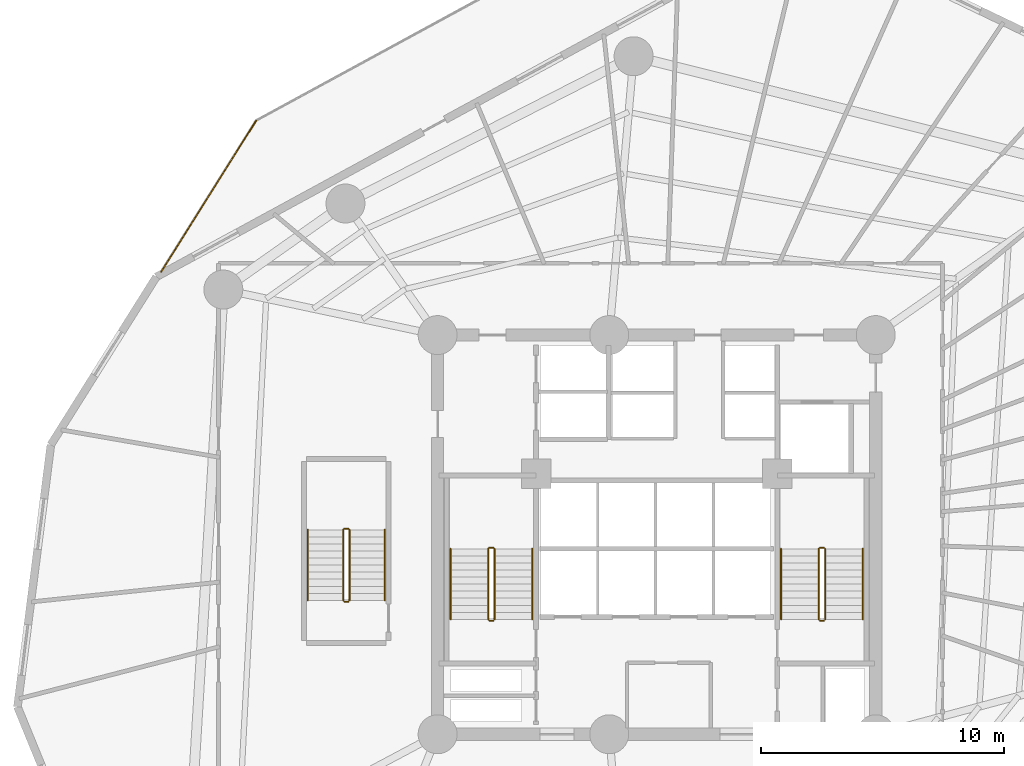
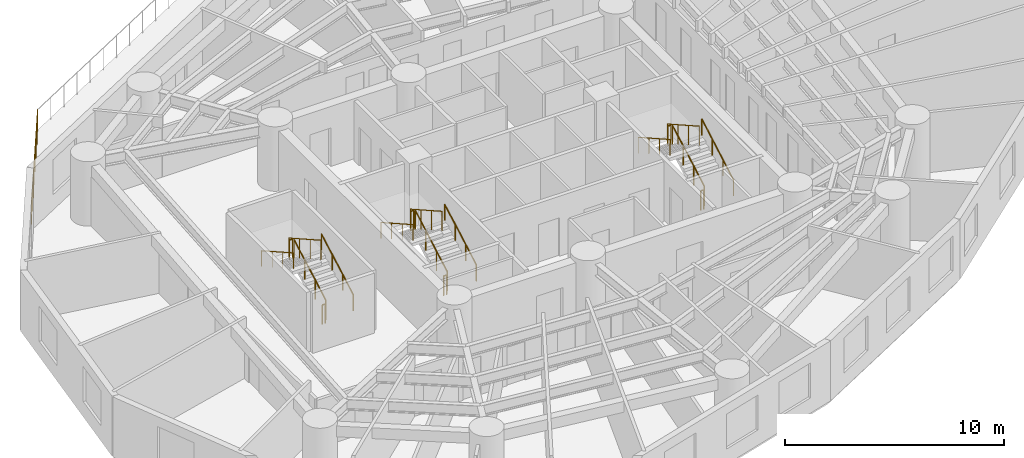
# One storey, part 8 of 9: 19 railings.
"""IFC4 building model written with IfcOpenShell, lengths in metres."""

from ifc_helpers import new_model, si_unit, direction, frame, origin, origin_2d, place, context, subcontext, project, spatial, circle, extrude, material, layer, layer_set, type_object, element, save


model = new_model("IFC4")

# Units and contexts
model_context = context("Model", 3, precision=1e-05, world=origin(), true_north=direction((0.0, 1.0)))
body_context = subcontext(model_context, "Body", "Model", "MODEL_VIEW")
ifc_project = project(units=[si_unit("LENGTHUNIT", "METRE"), si_unit("AREAUNIT", "SQUARE_METRE"), si_unit("VOLUMEUNIT", "CUBIC_METRE"), si_unit("PLANEANGLEUNIT", "RADIAN"), si_unit("MASSUNIT", "GRAM", prefix="KILO")], contexts=[model_context])

# Site, building, storey
site_placement = place(None, origin())
site = spatial("IfcSite", under=ifc_project, at=site_placement, CompositionType="ELEMENT")
building_placement = place(site_placement, origin())
building = spatial("IfcBuilding", under=site, at=building_placement, Name="Karkom Vertical University and Central Library", CompositionType="ELEMENT")
storey_placement = place(building_placement, frame((0.0, 0.0, 26.5)))
storey = spatial("IfcBuildingStorey", under=building, at=storey_placement, Name="L06", CompositionType="ELEMENT", Elevation=26.5)

# Railings
ifc_material_1 = material(Name="Architectural painted steel & laminated glass balustrade", Category="steel")
ifc_layer_1 = layer(ifc_material_1, 0.090087890625)
ifc_layer_set_1 = layer_set([ifc_layer_1], Name="Architectural painted steel & laminated glass balustrade")
railing_type_1 = type_object("IfcRailingType", Name="ENV-RL-BAL1300", PredefinedType="BALUSTRADE", material=ifc_layer_set_1)
railing_1_placement = place(storey_placement, frame((8.138916015625, 37.29296875, 0.0)))
element("IfcRailing", 1, at=railing_1_placement, inside=storey, type_object=railing_type_1, Name="Level 06 Planted Terrace Safety Balustrade 03", PredefinedType="BALUSTRADE", context=body_context, shape_type="SweptSolid", body=[
    extrude(circle(Radius=0.02392578125, at=origin_2d()), frame((0.0, 0.0, 1.27587890625), z_axis=(0.531958980978, 0.846770123798, 0.0), x_axis=(-0.846770123798, 0.531958980978, 0.0)), (0.0, 0.0, 1.0), 7.33935546875),
    extrude(circle(Radius=0.02099609375, at=origin_2d()), origin(), (0.0, 0.0, 1.0), 1.251953125),
    extrude(circle(Radius=0.02099609375, at=origin_2d()), frame((0.557861328125, 0.887939453125, 0.0)), (0.0, 0.0, 1.0), 1.251953125),
    extrude(circle(Radius=0.02099609375, at=origin_2d()), frame((1.115478515625, 1.775634765625, 0.0)), (0.0, 0.0, 1.0), 1.251953125),
    extrude(circle(Radius=0.02099609375, at=origin_2d()), frame((1.67333984375, 2.66357421875, 0.0)), (0.0, 0.0, 1.0), 1.251953125),
    extrude(circle(Radius=0.02099609375, at=origin_2d()), frame((2.23095703125, 3.55126953125, 0.0)), (0.0, 0.0, 1.0), 1.251953125),
    extrude(circle(Radius=0.02099609375, at=origin_2d()), frame((2.788818359375, 4.439208984375, 0.0)), (0.0, 0.0, 1.0), 1.251953125),
    extrude(circle(Radius=0.02099609375, at=origin_2d()), frame((3.346435546875, 5.326904296875, 0.0)), (0.0, 0.0, 1.0), 1.251953125),
    extrude(circle(Radius=0.02099609375, at=origin_2d()), frame((3.904296875, 6.21484375, 0.0)), (0.0, 0.0, 1.0), 1.251953125),
])
ifc_material_2 = material(Name="Painted galvanised steel balustrade", Category="steel")
ifc_layer_2 = layer(ifc_material_2, 0.06005859375)
ifc_layer_set_2 = layer_set([ifc_layer_2], Name="Painted galvanised steel balustrade")
railing_type_2 = type_object("IfcRailingType", Name="INT-RL-GUARD1100", PredefinedType="GUARDRAIL", material=ifc_layer_set_2)
railing_2_placement = place(storey_placement, frame((21.840087890625, 23.02001953125, 0.16357421875)))
element("IfcRailing", 2, at=railing_2_placement, inside=storey, type_object=railing_type_2, Name="Level 06 ST-1 stair guard 1", PredefinedType="GUARDRAIL", context=body_context, shape_type="SweptSolid", body=[
    extrude(circle(Radius=0.02392578125, at=origin_2d()), frame((0.0, 0.0, 1.076171875), z_axis=(0.0, 0.870897200241, 0.491465224214), x_axis=(-1.0, 0.0, 0.0)), (0.0, 0.0, 1.0), 3.329833984375),
    extrude(circle(Radius=0.02099609375, at=origin_2d()), origin(), (0.0, 0.0, 1.0), 1.052001953125),
    extrude(circle(Radius=0.02099609375, at=origin_2d()), frame((0.0, 0.966552734375, 0.54541015625)), (0.0, 0.0, 1.0), 1.052001953125),
    extrude(circle(Radius=0.02099609375, at=origin_2d()), frame((0.0, 1.933349609375, 1.091064453125)), (0.0, 0.0, 1.0), 1.052001953125),
    extrude(circle(Radius=0.02099609375, at=origin_2d()), frame((0.0, 2.89990234375, 1.636474609375)), (0.0, 0.0, 1.0), 1.052001953125),
])
railing_3_placement = place(storey_placement, frame((21.7900390625, 25.969970703125, 1.800048828125)))
element("IfcRailing", 3, at=railing_3_placement, inside=storey, type_object=railing_type_2, Name="Level 06 ST-1 stair guard 2", PredefinedType="GUARDRAIL", context=body_context, shape_type="SweptSolid", body=[
    extrude(circle(Radius=0.02392578125, at=origin_2d()), frame((0.0, 0.0, 1.076171875), z_axis=(-1.0, 0.0, 0.0), x_axis=(0.0, -1.0, 0.0)), (0.0, 0.0, 1.0), 0.16015625),
    extrude(circle(Radius=0.02099609375, at=origin_2d()), origin(), (0.0, 0.0, 1.0), 1.052001953125),
    extrude(circle(Radius=0.02099609375, at=origin_2d()), frame((-0.16015625, 0.0, 0.0)), (0.0, 0.0, 1.0), 1.052001953125),
])
railing_4_placement = place(storey_placement, frame((21.580078125, 25.919921875, 1.963623046875)))
element("IfcRailing", 4, at=railing_4_placement, inside=storey, type_object=railing_type_2, Name="Level 06 ST-1 stair guard 3", PredefinedType="GUARDRAIL", context=body_context, shape_type="SweptSolid", body=[
    extrude(circle(Radius=0.02392578125, at=origin_2d()), frame((0.0, 0.0, 1.076171875), z_axis=(0.0, -0.870897200241, 0.491465224214), x_axis=(1.0, 0.0, 0.0)), (0.0, 0.0, 1.0), 3.329833984375),
    extrude(circle(Radius=0.02099609375, at=origin_2d()), origin(), (0.0, 0.0, 1.0), 1.052001953125),
    extrude(circle(Radius=0.02099609375, at=origin_2d()), frame((0.0, -0.966552734375, 0.54541015625)), (0.0, 0.0, 1.0), 1.052001953125),
    extrude(circle(Radius=0.02099609375, at=origin_2d()), frame((0.0, -1.933349609375, 1.091064453125)), (0.0, 0.0, 1.0), 1.052001953125),
    extrude(circle(Radius=0.02099609375, at=origin_2d()), frame((0.0, -2.89990234375, 1.636474609375)), (0.0, 0.0, 1.0), 1.052001953125),
])
railing_5_placement = place(storey_placement, frame((21.7900390625, 22.969970703125, 0.0)))
element("IfcRailing", 5, at=railing_5_placement, inside=storey, type_object=railing_type_2, Name="Level 06 ST-1 stair guard 4", PredefinedType="GUARDRAIL", context=body_context, shape_type="SweptSolid", body=[
    extrude(circle(Radius=0.02392578125, at=origin_2d()), frame((0.0, 0.0, 1.076171875), z_axis=(-1.0, 0.0, 0.0), x_axis=(0.0, -1.0, 0.0)), (0.0, 0.0, 1.0), 0.16015625),
    extrude(circle(Radius=0.02099609375, at=origin_2d()), origin(), (0.0, 0.0, 1.0), 1.052001953125),
    extrude(circle(Radius=0.02099609375, at=origin_2d()), frame((-0.16015625, 0.0, 0.0)), (0.0, 0.0, 1.0), 1.052001953125),
])
railing_6_placement = place(storey_placement, frame((35.419921875, 23.02001953125, 0.16357421875)))
element("IfcRailing", 6, at=railing_6_placement, inside=storey, type_object=railing_type_2, Name="Level 06 ST-2 stair guard 1", PredefinedType="GUARDRAIL", context=body_context, shape_type="SweptSolid", body=[
    extrude(circle(Radius=0.02392578125, at=origin_2d()), frame((0.0, 0.0, 1.076171875), z_axis=(0.0, 0.870897200241, 0.491465224214), x_axis=(-1.0, 0.0, 0.0)), (0.0, 0.0, 1.0), 3.329833984375),
    extrude(circle(Radius=0.02099609375, at=origin_2d()), origin(), (0.0, 0.0, 1.0), 1.052001953125),
    extrude(circle(Radius=0.02099609375, at=origin_2d()), frame((0.0, 0.966552734375, 0.54541015625)), (0.0, 0.0, 1.0), 1.052001953125),
    extrude(circle(Radius=0.02099609375, at=origin_2d()), frame((0.0, 1.933349609375, 1.091064453125)), (0.0, 0.0, 1.0), 1.052001953125),
    extrude(circle(Radius=0.02099609375, at=origin_2d()), frame((0.0, 2.89990234375, 1.636474609375)), (0.0, 0.0, 1.0), 1.052001953125),
])
railing_7_placement = place(storey_placement, frame((35.3701171875, 25.969970703125, 1.800048828125)))
element("IfcRailing", 7, at=railing_7_placement, inside=storey, type_object=railing_type_2, Name="Level 06 ST-2 stair guard 2", PredefinedType="GUARDRAIL", context=body_context, shape_type="SweptSolid", body=[
    extrude(circle(Radius=0.02392578125, at=origin_2d()), frame((0.0, 0.0, 1.076171875), z_axis=(-1.0, 0.0, 0.0), x_axis=(0.0, -1.0, 0.0)), (0.0, 0.0, 1.0), 0.16015625),
    extrude(circle(Radius=0.02099609375, at=origin_2d()), origin(), (0.0, 0.0, 1.0), 1.052001953125),
    extrude(circle(Radius=0.02099609375, at=origin_2d()), frame((-0.16015625, 0.0, 0.0)), (0.0, 0.0, 1.0), 1.052001953125),
])
railing_8_placement = place(storey_placement, frame((35.159912109375, 25.919921875, 1.963623046875)))
element("IfcRailing", 8, at=railing_8_placement, inside=storey, type_object=railing_type_2, Name="Level 06 ST-2 stair guard 3", PredefinedType="GUARDRAIL", context=body_context, shape_type="SweptSolid", body=[
    extrude(circle(Radius=0.02392578125, at=origin_2d()), frame((0.0, 0.0, 1.076171875), z_axis=(0.0, -0.870897200241, 0.491465224214), x_axis=(1.0, 0.0, 0.0)), (0.0, 0.0, 1.0), 3.329833984375),
    extrude(circle(Radius=0.02099609375, at=origin_2d()), origin(), (0.0, 0.0, 1.0), 1.052001953125),
    extrude(circle(Radius=0.02099609375, at=origin_2d()), frame((0.0, -0.966552734375, 0.54541015625)), (0.0, 0.0, 1.0), 1.052001953125),
    extrude(circle(Radius=0.02099609375, at=origin_2d()), frame((0.0, -1.933349609375, 1.091064453125)), (0.0, 0.0, 1.0), 1.052001953125),
    extrude(circle(Radius=0.02099609375, at=origin_2d()), frame((0.0, -2.89990234375, 1.636474609375)), (0.0, 0.0, 1.0), 1.052001953125),
])
railing_9_placement = place(storey_placement, frame((35.3701171875, 22.969970703125, 0.0)))
element("IfcRailing", 9, at=railing_9_placement, inside=storey, type_object=railing_type_2, Name="Level 06 ST-2 stair guard 4", PredefinedType="GUARDRAIL", context=body_context, shape_type="SweptSolid", body=[
    extrude(circle(Radius=0.02392578125, at=origin_2d()), frame((0.0, 0.0, 1.076171875), z_axis=(-1.0, 0.0, 0.0), x_axis=(0.0, -1.0, 0.0)), (0.0, 0.0, 1.0), 0.16015625),
    extrude(circle(Radius=0.02099609375, at=origin_2d()), origin(), (0.0, 0.0, 1.0), 1.052001953125),
    extrude(circle(Radius=0.02099609375, at=origin_2d()), frame((-0.16015625, 0.0, 0.0)), (0.0, 0.0, 1.0), 1.052001953125),
])
railing_10_placement = place(storey_placement, frame((15.8798828125, 23.800048828125, 0.16357421875)))
element("IfcRailing", 10, at=railing_10_placement, inside=storey, type_object=railing_type_2, Name="Level 06 ST-3 stair guard 1", PredefinedType="GUARDRAIL", context=body_context, shape_type="SweptSolid", body=[
    extrude(circle(Radius=0.02392578125, at=origin_2d()), frame((0.0, 0.0, 1.076171875), z_axis=(0.0, 0.870897200241, 0.491465224214), x_axis=(-1.0, 0.0, 0.0)), (0.0, 0.0, 1.0), 3.329833984375),
    extrude(circle(Radius=0.02099609375, at=origin_2d()), origin(), (0.0, 0.0, 1.0), 1.052001953125),
    extrude(circle(Radius=0.02099609375, at=origin_2d()), frame((0.0, 0.966552734375, 0.54541015625)), (0.0, 0.0, 1.0), 1.052001953125),
    extrude(circle(Radius=0.02099609375, at=origin_2d()), frame((0.0, 1.933349609375, 1.091064453125)), (0.0, 0.0, 1.0), 1.052001953125),
    extrude(circle(Radius=0.02099609375, at=origin_2d()), frame((0.0, 2.89990234375, 1.636474609375)), (0.0, 0.0, 1.0), 1.052001953125),
])
railing_11_placement = place(storey_placement, frame((15.830078125, 26.75, 1.800048828125)))
element("IfcRailing", 11, at=railing_11_placement, inside=storey, type_object=railing_type_2, Name="Level 06 ST-3 stair guard 2", PredefinedType="GUARDRAIL", context=body_context, shape_type="SweptSolid", body=[
    extrude(circle(Radius=0.02392578125, at=origin_2d()), frame((0.0, 0.0, 1.076171875), z_axis=(-1.0, 0.0, 0.0), x_axis=(0.0, -1.0, 0.0)), (0.0, 0.0, 1.0), 0.16015625),
    extrude(circle(Radius=0.02099609375, at=origin_2d()), origin(), (0.0, 0.0, 1.0), 1.052001953125),
    extrude(circle(Radius=0.02099609375, at=origin_2d()), frame((-0.16015625, 0.0, 0.0)), (0.0, 0.0, 1.0), 1.052001953125),
])
railing_12_placement = place(storey_placement, frame((15.6201171875, 26.699951171875, 1.963623046875)))
element("IfcRailing", 12, at=railing_12_placement, inside=storey, type_object=railing_type_2, Name="Level 06 ST-3 stair guard 3", PredefinedType="GUARDRAIL", context=body_context, shape_type="SweptSolid", body=[
    extrude(circle(Radius=0.02392578125, at=origin_2d()), frame((0.0, 0.0, 1.076171875), z_axis=(0.0, -0.870897200241, 0.491465224214), x_axis=(1.0, 0.0, 0.0)), (0.0, 0.0, 1.0), 3.329833984375),
    extrude(circle(Radius=0.02099609375, at=origin_2d()), origin(), (0.0, 0.0, 1.0), 1.052001953125),
    extrude(circle(Radius=0.02099609375, at=origin_2d()), frame((0.0, -0.966552734375, 0.54541015625)), (0.0, 0.0, 1.0), 1.052001953125),
    extrude(circle(Radius=0.02099609375, at=origin_2d()), frame((0.0, -1.933349609375, 1.091064453125)), (0.0, 0.0, 1.0), 1.052001953125),
    extrude(circle(Radius=0.02099609375, at=origin_2d()), frame((0.0, -2.89990234375, 1.636474609375)), (0.0, 0.0, 1.0), 1.052001953125),
])
railing_13_placement = place(storey_placement, frame((15.830078125, 23.75, 0.0)))
element("IfcRailing", 13, at=railing_13_placement, inside=storey, type_object=railing_type_2, Name="Level 06 ST-3 stair guard 4", PredefinedType="GUARDRAIL", context=body_context, shape_type="SweptSolid", body=[
    extrude(circle(Radius=0.02392578125, at=origin_2d()), frame((0.0, 0.0, 1.076171875), z_axis=(-1.0, 0.0, 0.0), x_axis=(0.0, -1.0, 0.0)), (0.0, 0.0, 1.0), 0.16015625),
    extrude(circle(Radius=0.02099609375, at=origin_2d()), origin(), (0.0, 0.0, 1.0), 1.052001953125),
    extrude(circle(Radius=0.02099609375, at=origin_2d()), frame((-0.16015625, 0.0, 0.0)), (0.0, 0.0, 1.0), 1.052001953125),
])
ifc_material_3 = material(Name="Brushed stainless-steel tubular handrail", Category="steel")
ifc_layer_3 = layer(ifc_material_3, 0.048095703125)
ifc_layer_set_3 = layer_set([ifc_layer_3], Name="Brushed stainless-steel tubular handrail")
railing_type_3 = type_object("IfcRailingType", Name="INT-RL-HAND920", PredefinedType="HANDRAIL", material=ifc_layer_set_3)
railing_14_placement = place(storey_placement, frame((23.389892578125, 23.02001953125, 0.16357421875)))
element("IfcRailing", 14, at=railing_14_placement, inside=storey, type_object=railing_type_3, Name="Level 06 ST-1 stair handrail 1", PredefinedType="HANDRAIL", context=body_context, shape_type="SweptSolid", body=[
    extrude(circle(Radius=0.02392578125, at=origin_2d()), frame((0.0, 0.0, 0.8759765625), z_axis=(0.0, 0.870897200241, 0.491465224214), x_axis=(-1.0, 0.0, 0.0)), (0.0, 0.0, 1.0), 3.329833984375),
    extrude(circle(Radius=0.02099609375, at=origin_2d()), origin(), (0.0, 0.0, 1.0), 0.851806640625),
    extrude(circle(Radius=0.02099609375, at=origin_2d()), frame((0.0, 0.966552734375, 0.54541015625)), (0.0, 0.0, 1.0), 0.851806640625),
    extrude(circle(Radius=0.02099609375, at=origin_2d()), frame((0.0, 1.933349609375, 1.091064453125)), (0.0, 0.0, 1.0), 0.851806640625),
    extrude(circle(Radius=0.02099609375, at=origin_2d()), frame((0.0, 2.89990234375, 1.636474609375)), (0.0, 0.0, 1.0), 0.851806640625),
])
railing_15_placement = place(storey_placement, frame((20.030029296875, 25.919921875, 1.963623046875)))
element("IfcRailing", 15, at=railing_15_placement, inside=storey, type_object=railing_type_3, Name="Level 06 ST-1 stair handrail 2", PredefinedType="HANDRAIL", context=body_context, shape_type="SweptSolid", body=[
    extrude(circle(Radius=0.02392578125, at=origin_2d()), frame((0.0, 0.0, 0.8759765625), z_axis=(0.0, -0.870897200241, 0.491465224214), x_axis=(1.0, 0.0, 0.0)), (0.0, 0.0, 1.0), 3.329833984375),
    extrude(circle(Radius=0.02099609375, at=origin_2d()), origin(), (0.0, 0.0, 1.0), 0.851806640625),
    extrude(circle(Radius=0.02099609375, at=origin_2d()), frame((0.0, -0.966552734375, 0.54541015625)), (0.0, 0.0, 1.0), 0.851806640625),
    extrude(circle(Radius=0.02099609375, at=origin_2d()), frame((0.0, -1.933349609375, 1.091064453125)), (0.0, 0.0, 1.0), 0.851806640625),
    extrude(circle(Radius=0.02099609375, at=origin_2d()), frame((0.0, -2.89990234375, 1.636474609375)), (0.0, 0.0, 1.0), 0.851806640625),
])
railing_16_placement = place(storey_placement, frame((36.969970703125, 23.02001953125, 0.16357421875)))
element("IfcRailing", 16, at=railing_16_placement, inside=storey, type_object=railing_type_3, Name="Level 06 ST-2 stair handrail 1", PredefinedType="HANDRAIL", context=body_context, shape_type="SweptSolid", body=[
    extrude(circle(Radius=0.02392578125, at=origin_2d()), frame((0.0, 0.0, 0.8759765625), z_axis=(0.0, 0.870897200241, 0.491465224214), x_axis=(-1.0, 0.0, 0.0)), (0.0, 0.0, 1.0), 3.329833984375),
    extrude(circle(Radius=0.02099609375, at=origin_2d()), origin(), (0.0, 0.0, 1.0), 0.851806640625),
    extrude(circle(Radius=0.02099609375, at=origin_2d()), frame((0.0, 0.966552734375, 0.54541015625)), (0.0, 0.0, 1.0), 0.851806640625),
    extrude(circle(Radius=0.02099609375, at=origin_2d()), frame((0.0, 1.933349609375, 1.091064453125)), (0.0, 0.0, 1.0), 0.851806640625),
    extrude(circle(Radius=0.02099609375, at=origin_2d()), frame((0.0, 2.89990234375, 1.636474609375)), (0.0, 0.0, 1.0), 0.851806640625),
])
railing_17_placement = place(storey_placement, frame((33.610107421875, 25.919921875, 1.963623046875)))
element("IfcRailing", 17, at=railing_17_placement, inside=storey, type_object=railing_type_3, Name="Level 06 ST-2 stair handrail 2", PredefinedType="HANDRAIL", context=body_context, shape_type="SweptSolid", body=[
    extrude(circle(Radius=0.02392578125, at=origin_2d()), frame((0.0, 0.0, 0.8759765625), z_axis=(0.0, -0.870897200241, 0.491465224214), x_axis=(1.0, 0.0, 0.0)), (0.0, 0.0, 1.0), 3.329833984375),
    extrude(circle(Radius=0.02099609375, at=origin_2d()), origin(), (0.0, 0.0, 1.0), 0.851806640625),
    extrude(circle(Radius=0.02099609375, at=origin_2d()), frame((0.0, -0.966552734375, 0.54541015625)), (0.0, 0.0, 1.0), 0.851806640625),
    extrude(circle(Radius=0.02099609375, at=origin_2d()), frame((0.0, -1.933349609375, 1.091064453125)), (0.0, 0.0, 1.0), 0.851806640625),
    extrude(circle(Radius=0.02099609375, at=origin_2d()), frame((0.0, -2.89990234375, 1.636474609375)), (0.0, 0.0, 1.0), 0.851806640625),
])
railing_18_placement = place(storey_placement, frame((17.330078125, 23.800048828125, 0.16357421875)))
element("IfcRailing", 18, at=railing_18_placement, inside=storey, type_object=railing_type_3, Name="Level 06 ST-3 stair handrail 1", PredefinedType="HANDRAIL", context=body_context, shape_type="SweptSolid", body=[
    extrude(circle(Radius=0.02392578125, at=origin_2d()), frame((0.0, 0.0, 0.8759765625), z_axis=(0.0, 0.870897200241, 0.491465224214), x_axis=(-1.0, 0.0, 0.0)), (0.0, 0.0, 1.0), 3.329833984375),
    extrude(circle(Radius=0.02099609375, at=origin_2d()), origin(), (0.0, 0.0, 1.0), 0.851806640625),
    extrude(circle(Radius=0.02099609375, at=origin_2d()), frame((0.0, 0.966552734375, 0.54541015625)), (0.0, 0.0, 1.0), 0.851806640625),
    extrude(circle(Radius=0.02099609375, at=origin_2d()), frame((0.0, 1.933349609375, 1.091064453125)), (0.0, 0.0, 1.0), 0.851806640625),
    extrude(circle(Radius=0.02099609375, at=origin_2d()), frame((0.0, 2.89990234375, 1.636474609375)), (0.0, 0.0, 1.0), 0.851806640625),
])
railing_19_placement = place(storey_placement, frame((14.169921875, 26.699951171875, 1.963623046875)))
element("IfcRailing", 19, at=railing_19_placement, inside=storey, type_object=railing_type_3, Name="Level 06 ST-3 stair handrail 2", PredefinedType="HANDRAIL", context=body_context, shape_type="SweptSolid", body=[
    extrude(circle(Radius=0.02392578125, at=origin_2d()), frame((0.0, 0.0, 0.8759765625), z_axis=(0.0, -0.870897200241, 0.491465224214), x_axis=(1.0, 0.0, 0.0)), (0.0, 0.0, 1.0), 3.329833984375),
    extrude(circle(Radius=0.02099609375, at=origin_2d()), origin(), (0.0, 0.0, 1.0), 0.851806640625),
    extrude(circle(Radius=0.02099609375, at=origin_2d()), frame((0.0, -0.966552734375, 0.54541015625)), (0.0, 0.0, 1.0), 0.851806640625),
    extrude(circle(Radius=0.02099609375, at=origin_2d()), frame((0.0, -1.933349609375, 1.091064453125)), (0.0, 0.0, 1.0), 0.851806640625),
    extrude(circle(Radius=0.02099609375, at=origin_2d()), frame((0.0, -2.89990234375, 1.636474609375)), (0.0, 0.0, 1.0), 0.851806640625),
])

save(model, "model.ifc")
